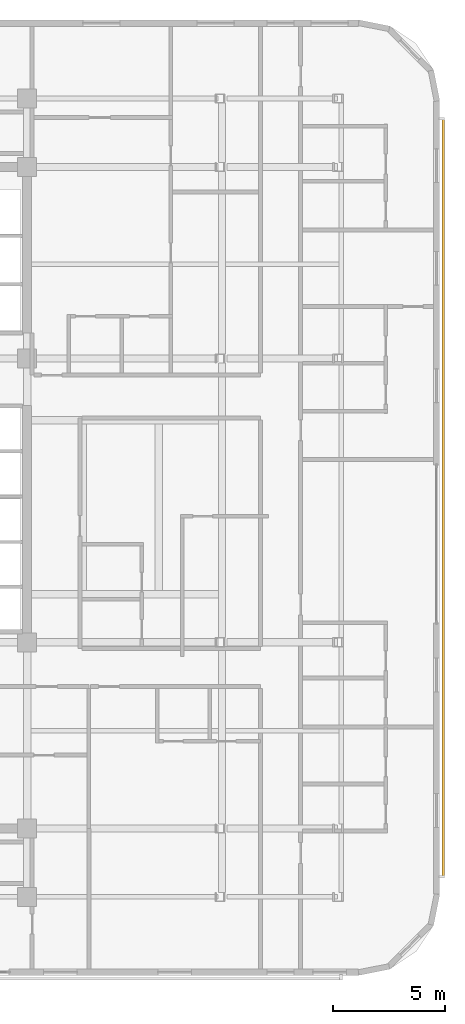
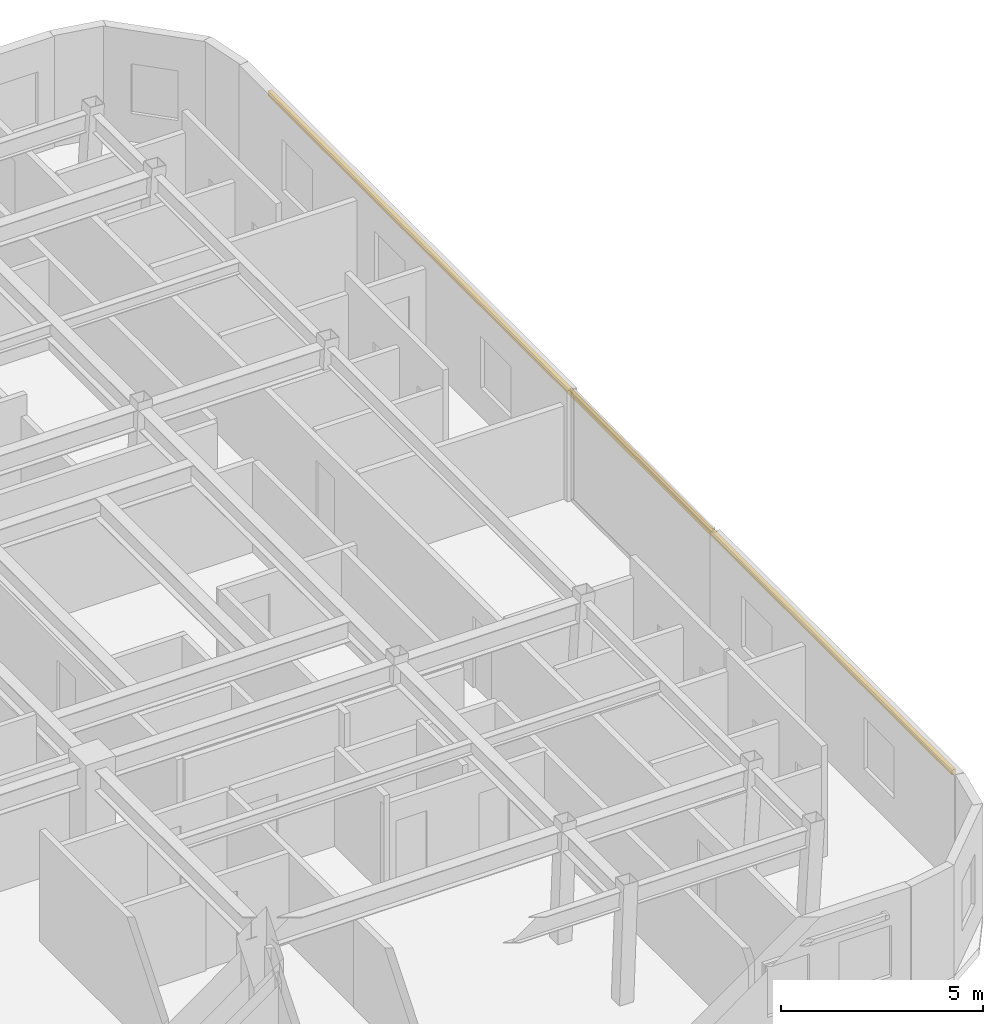
# One storey, part 13 of 14: 1 shading device.
"""IFC4 building model written with IfcOpenShell, lengths in metres."""

from ifc_helpers import new_model, si_unit, direction, frame, origin, origin_2d, place, context, subcontext, project, spatial, rectangle, extrude, material, material_profile, profile_set, type_object, element, save


model = new_model("IFC4")

# Units and contexts
model_context = context("Model", 3, precision=1e-05, world=origin(), true_north=direction((0.0, 1.0)))
body_context = subcontext(model_context, "Body", "Model", "MODEL_VIEW")
ifc_project = project(units=[si_unit("LENGTHUNIT", "METRE"), si_unit("AREAUNIT", "SQUARE_METRE"), si_unit("VOLUMEUNIT", "CUBIC_METRE"), si_unit("PLANEANGLEUNIT", "RADIAN"), si_unit("MASSUNIT", "GRAM", prefix="KILO")], contexts=[model_context])

# Site, building, storey
site_placement = place(None, origin())
site = spatial("IfcSite", under=ifc_project, at=site_placement, CompositionType="ELEMENT")
building_placement = place(site_placement, origin())
building = spatial("IfcBuilding", under=site, at=building_placement, Name="Ochreholt Gables", CompositionType="ELEMENT")
storey_placement = place(building_placement, frame((0.0, 0.0, 109.800048828125)))
storey = spatial("IfcBuildingStorey", under=building, at=storey_placement, Name="L28", CompositionType="ELEMENT", Elevation=109.800048828125)

# Shading device
ifc_material = material(Name="Warm Ochre Glazed Terracotta Baguette", Category="masonry")
ifc_material_profile = material_profile(ifc_material, rectangle(XDim=0.110107421875, YDim=0.14990234375, at=origin_2d()), Name="TCBAG110X150")
ifc_profile_set = profile_set([ifc_material_profile], Name="Warm Ochre Glazed Terracotta Baguette")
shading_device_type = type_object("IfcShadingDeviceType", Name="SHD-BAGUETTE", PredefinedType="USERDEFINED", material=ifc_profile_set)
shading_device_placement = place(storey_placement, frame((53.75, 7.10009765625, 2.83984375), z_axis=(0.0, 1.0, 0.0), x_axis=(-1.0, 0.0, 0.0)))
element("IfcShadingDevice", 1, at=shading_device_placement, inside=storey, type_object=shading_device_type, Name="L28 Terracotta Baguette Screen E-1", ObjectType="BAGUETTE", PredefinedType="USERDEFINED", context=body_context, shape_type="SweptSolid", body=[
    extrude(rectangle(XDim=0.110107421875, YDim=0.14990234375, at=origin_2d()), origin(), (0.0, 0.0, 1.0), 33.7998046875),
])

save(model, "model.ifc")
